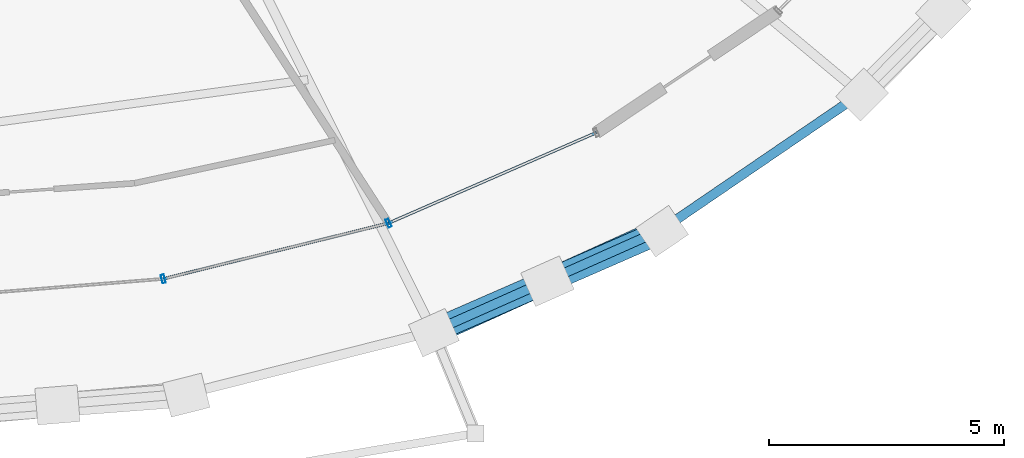
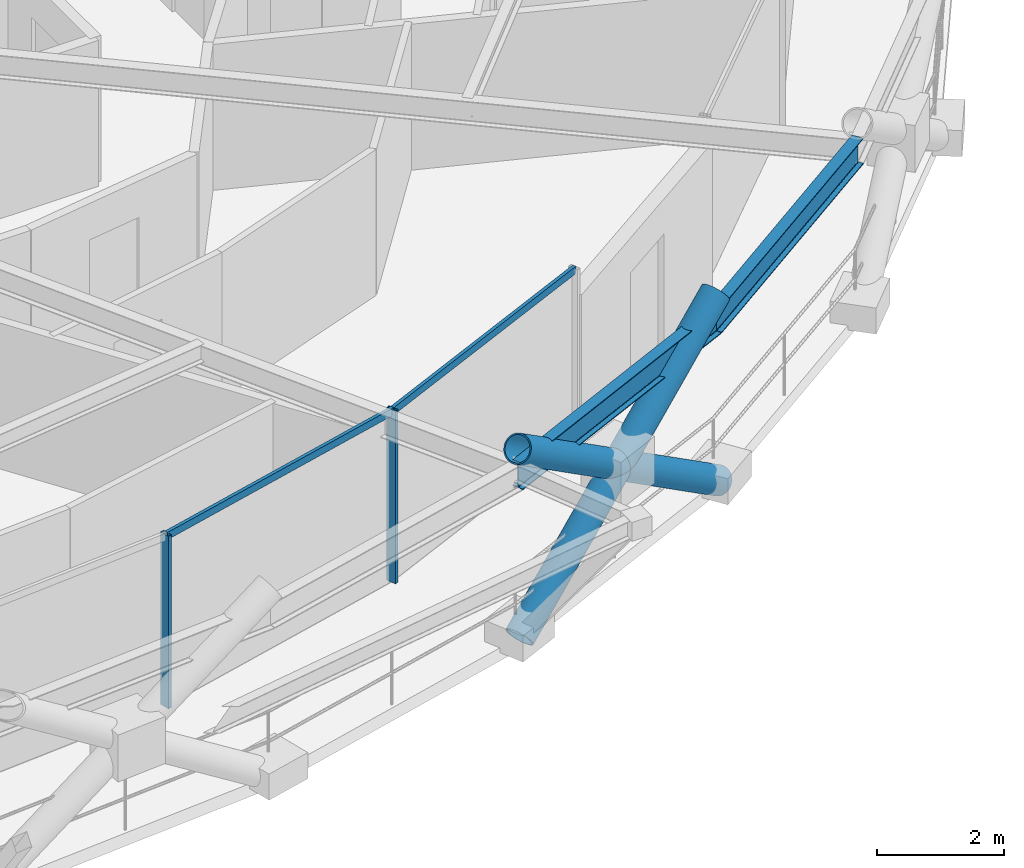
# One storey, part 4 of 20: 7 members, 2 beams, 1 element without a shape of its own.
"""IFC4 building model written with IfcOpenShell, lengths in metres."""

from ifc_helpers import new_model, si_unit, direction, frame, origin, origin_2d, place, context, subcontext, project, spatial, hollow_rectangle, hollow_circle, i_section, extrude, material, layer, layer_set, material_profile, profile_set, type_object, element, aggregate, save


model = new_model("IFC4")

# Units and contexts
model_context = context("Model", 3, precision=1e-05, world=origin(), true_north=direction((0.0, 1.0)))
body_context = subcontext(model_context, "Body", "Model", "MODEL_VIEW")
ifc_project = project(units=[si_unit("LENGTHUNIT", "METRE"), si_unit("AREAUNIT", "SQUARE_METRE"), si_unit("VOLUMEUNIT", "CUBIC_METRE"), si_unit("PLANEANGLEUNIT", "RADIAN"), si_unit("MASSUNIT", "GRAM", prefix="KILO")], contexts=[model_context])

# Site, building, storey
site_placement = place(None, origin())
site = spatial("IfcSite", under=ifc_project, at=site_placement, CompositionType="ELEMENT")
building_placement = place(site_placement, origin())
building = spatial("IfcBuilding", under=site, at=building_placement, Name="Veldorina Hangang Commons", CompositionType="ELEMENT")
storey_placement = place(building_placement, frame((0.0, 0.0, 171.199951171875)))
storey = spatial("IfcBuildingStorey", under=building, at=storey_placement, Name="L44", CompositionType="ELEMENT", Elevation=171.199951171875)

# Beams
ifc_material_1 = material(Name="Steel SM420-TMC", Category="steel")
ifc_material_profile_1 = material_profile(ifc_material_1, i_section(OverallWidth=0.199951171875, OverallDepth=0.5, WebThickness=0.010009765625, FlangeThickness=0.01611328125, FilletRadius=0.01611328125, at=origin_2d()), Name="H-500x200x10x16")
ifc_profile_set_1 = profile_set([ifc_material_profile_1], Name="Steel SM420-TMC")
beam_type = type_object("IfcBeamType", Name="BM-RB500", PredefinedType="BEAM", material=ifc_profile_set_1)
beam_1_placement = place(storey_placement, frame((42.717529296875, 2.46923828125, 3.10009765625), z_axis=(0.913710836046, 0.406364993685, 0.0), x_axis=(-0.406364993685, 0.913710836046, 0.0)))
element("IfcBeam", 1, at=beam_1_placement, inside=storey, type_object=beam_type, Name="L44 perimeter hoop ring beam 26", PredefinedType="BEAM", context=body_context, shape_type="SweptSolid", body=[
    extrude(i_section(OverallWidth=0.199951171875, OverallDepth=0.5, WebThickness=0.010009765625, FlangeThickness=0.01611328125, FilletRadius=0.01611328125, at=origin_2d()), origin(), (0.0, 0.0, 1.0), 5.299560546875),
])
beam_2_placement = place(storey_placement, frame((47.559814453125, 4.622802734375, 3.10009765625), z_axis=(0.82580799699, 0.563951373886, 0.0), x_axis=(-0.563951373886, 0.82580799699, 0.0)))
element("IfcBeam", 2, at=beam_2_placement, inside=storey, type_object=beam_type, Name="L44 perimeter hoop ring beam 27", PredefinedType="BEAM", context=body_context, shape_type="SweptSolid", body=[
    extrude(i_section(OverallWidth=0.199951171875, OverallDepth=0.5, WebThickness=0.010009765625, FlangeThickness=0.01611328125, FilletRadius=0.01611328125, at=origin_2d()), origin(), (0.0, 0.0, 1.0), 5.13916015625),
])

# Curtain wall, members
ifc_material_2 = material(Name="Glass Low-E Triple IGU", Category="glass")
ifc_layer = layer(ifc_material_2, 0.179931640625)
ifc_layer_set = layer_set([ifc_layer], Name="Glass Low-E Triple IGU")
curtain_wall_type = type_object("IfcCurtainWallType", Name="CW-SYS-Z2", PredefinedType="NOTDEFINED", material=ifc_layer_set)
curtain_wall_placement = place(storey_placement, origin())
curtain_wall = element("IfcCurtainWall", 3, at=curtain_wall_placement, inside=storey, type_object=curtain_wall_type, Name="L44 unitised curtain wall CW-L44-R1", PredefinedType="NOTDEFINED")
ifc_material_3 = material(Name="Aluminium Anodized AA6063-T6", Category="aluminium")
ifc_material_profile_2 = material_profile(ifc_material_3, hollow_rectangle(XDim=0.070068359375, YDim=0.179931640625, WallThickness=0.00390625, at=origin_2d()), Name="ALU-RHS-180x70x4")
ifc_profile_set_2 = profile_set([ifc_material_profile_2], Name="Aluminium Anodized AA6063-T6")
member_type_1 = type_object("IfcMemberType", Name="CW-MUL-180", PredefinedType="MULLION", material=ifc_profile_set_2)
member_1_placement = place(storey_placement, frame((36.980224609375, 3.58642578125, 0.0), z_axis=(0.0, 0.0, 1.0), x_axis=(0.970750014278, 0.240092502546, 0.0)))
member_1 = element("IfcMember", 4, at=member_1_placement, type_object=member_type_1, Name="CW-L44-R1 vertical mullion 3", PredefinedType="MULLION", context=body_context, shape_type="SweptSolid", body=[
    extrude(hollow_rectangle(XDim=0.070068359375, YDim=0.179931640625, WallThickness=0.00390625, at=origin_2d()), origin(), (0.0, 0.0, 1.0), 3.31005859375),
])
member_2_placement = place(storey_placement, frame((41.76904296875, 4.770751953125, 0.0), z_axis=(0.0, 0.0, 1.0), x_axis=(0.916725697371, 0.399517203358, 0.0)))
member_2 = element("IfcMember", 5, at=member_2_placement, type_object=member_type_1, Name="CW-L44-R1 vertical mullion 4", PredefinedType="MULLION", context=body_context, shape_type="SweptSolid", body=[
    extrude(hollow_rectangle(XDim=0.070068359375, YDim=0.179931640625, WallThickness=0.00390625, at=origin_2d()), origin(), (0.0, 0.0, 1.0), 3.31005859375),
])
ifc_material_profile_3 = material_profile(ifc_material_3, hollow_rectangle(XDim=0.06005859375, YDim=0.139892578125, WallThickness=0.00341796875, at=origin_2d()), Name="ALU-RHS-140x60x3.5")
ifc_profile_set_3 = profile_set([ifc_material_profile_3], Name="Aluminium Anodized AA6063-T6")
member_type_2 = type_object("IfcMemberType", Name="CW-TRN-140", PredefinedType="USERDEFINED", material=ifc_profile_set_3)
member_3_placement = place(storey_placement, frame((36.980224609375, 3.58642578125, 3.27001953125), z_axis=(0.970753651545, 0.24007779575, 0.0), x_axis=(-0.24007779575, 0.970753651545, 0.0)))
member_3 = element("IfcMember", 6, at=member_3_placement, type_object=member_type_2, Name="CW-L44-R1 facet 3 transom 1", ObjectType="TRANSOM", PredefinedType="USERDEFINED", context=body_context, shape_type="SweptSolid", body=[
    extrude(hollow_rectangle(XDim=0.06005859375, YDim=0.139892578125, WallThickness=0.00341796875, at=origin_2d()), origin(), (0.0, 0.0, 1.0), 4.93310546875),
])
member_4_placement = place(storey_placement, frame((41.76904296875, 4.770751953125, 3.27001953125), z_axis=(0.916735967808, 0.399493636154, 0.0), x_axis=(-0.399493636154, 0.916735967808, 0.0)))
member_4 = element("IfcMember", 7, at=member_4_placement, type_object=member_type_2, Name="CW-L44-R1 facet 4 transom 1", ObjectType="TRANSOM", PredefinedType="USERDEFINED", context=body_context, shape_type="SweptSolid", body=[
    extrude(hollow_rectangle(XDim=0.06005859375, YDim=0.139892578125, WallThickness=0.00341796875, at=origin_2d()), origin(), (0.0, 0.0, 1.0), 4.814453125),
])
aggregate(curtain_wall, [member_1, member_2, member_3, member_4])

# Members
ifc_material_profile_4 = material_profile(ifc_material_1, hollow_circle(Radius=0.25, WallThickness=0.02490234375, at=origin_2d()), Name="CHS-500x25")
ifc_profile_set_4 = profile_set([ifc_material_profile_4], Name="Steel SM420-TMC")
member_type_3 = type_object("IfcMemberType", Name="DG-CHS500", PredefinedType="BRACE", material=ifc_profile_set_4)
member_5_placement = place(storey_placement, frame((42.7333984375, 2.442626953125, 0.0), z_axis=(0.753264163054, 0.341148240909, 0.56232639844), x_axis=(-0.412555208384, 0.910932599063, 0.0)))
element("IfcMember", 8, at=member_5_placement, inside=storey, type_object=member_type_3, Name="L44 continuous perimeter diagrid brace 26", PredefinedType="BRACE", context=body_context, shape_type="SweptSolid", body=[
    extrude(hollow_circle(Radius=0.25, WallThickness=0.02490234375, at=origin_2d()), origin(), (0.0, 0.0, 1.0), 6.402099609375),
])
member_6_placement = place(storey_placement, frame((47.58251953125, 4.598876953125, 0.0), z_axis=(-0.758633315779, -0.331146445847, 0.561086021563), x_axis=(0.400052486902, -0.91649223004, 0.0)))
element("IfcMember", 9, at=member_6_placement, inside=storey, type_object=member_type_3, Name="L44 split perimeter diagrid lower brace 27", PredefinedType="BRACE", context=body_context, shape_type="SweptSolid", body=[
    extrude(hollow_circle(Radius=0.25, WallThickness=0.02490234375, at=origin_2d()), origin(), (0.0, 0.0, 1.0), 3.210693359375),
])
member_7_placement = place(storey_placement, frame((45.146728515625, 3.53564453125, 1.801513671875), z_axis=(-0.758568408716, -0.331302467662, 0.561081673395), x_axis=(0.400239549144, -0.916410553901, 0.0)))
element("IfcMember", 10, at=member_7_placement, inside=storey, type_object=member_type_3, Name="L44 split perimeter diagrid upper brace 27", PredefinedType="BRACE", context=body_context, shape_type="SweptSolid", body=[
    extrude(hollow_circle(Radius=0.25, WallThickness=0.02490234375, at=origin_2d()), origin(), (0.0, 0.0, 1.0), 3.20556640625),
])

save(model, "model.ifc")
